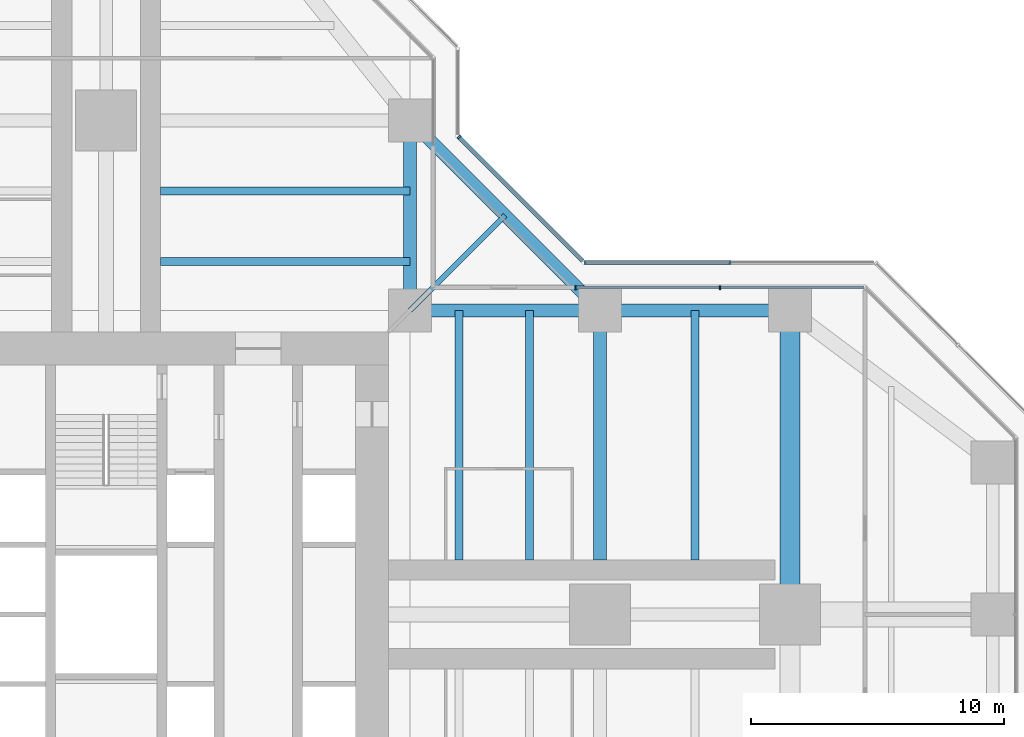
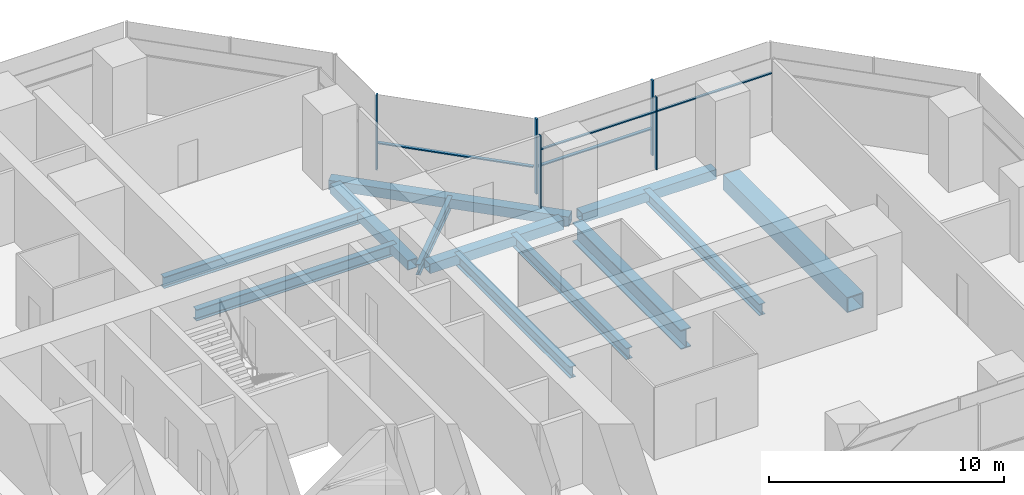
# One storey, part 9 of 19: 12 beams, 9 members, 3 elements without a shape of their own.
"""IFC4 building model written with IfcOpenShell, lengths in metres."""

from ifc_helpers import new_model, si_unit, direction, frame, origin, origin_2d, place, context, subcontext, project, spatial, rectangle, hollow_rectangle, i_section, extrude, material, material_profile, profile_set, type_object, element, aggregate, save


model = new_model("IFC4")

# Units and contexts
model_context = context("Model", 3, precision=1e-05, world=origin(), true_north=direction((0.0, 1.0)))
body_context = subcontext(model_context, "Body", "Model", "MODEL_VIEW")
ifc_project = project(units=[si_unit("LENGTHUNIT", "METRE"), si_unit("AREAUNIT", "SQUARE_METRE"), si_unit("VOLUMEUNIT", "CUBIC_METRE"), si_unit("PLANEANGLEUNIT", "RADIAN"), si_unit("MASSUNIT", "GRAM", prefix="KILO")], contexts=[model_context])

# Site, building, storey
site_placement = place(None, origin())
site = spatial("IfcSite", under=ifc_project, at=site_placement, CompositionType="ELEMENT")
building_placement = place(site_placement, origin())
building = spatial("IfcBuilding", under=site, at=building_placement, Name="Mizan Broadcast Tower", CompositionType="ELEMENT")
storey_placement = place(building_placement, frame((0.0, 0.0, 159.300048828125)))
storey = spatial("IfcBuildingStorey", under=building, at=storey_placement, Name="L36", CompositionType="ELEMENT", Elevation=159.300048828125)

# Beams
ifc_material_1 = material(Name="Steel S355", Category="steel")
ifc_material_profile_1 = material_profile(ifc_material_1, hollow_rectangle(XDim=0.5, YDim=0.5, WallThickness=0.030029296875, at=origin_2d()), Name="BOX 500x500x30")
ifc_profile_set_1 = profile_set([ifc_material_profile_1], Name="Steel S355")
beam_type_1 = type_object("IfcBeamType", Name="EDGE BEAM BOX 500x500x30", PredefinedType="SPANDREL", material=ifc_profile_set_1)
for number, where, z_axis, x_axis, name in (
    (1, (12.449951171875, 12.0, -0.380126953125), (1.0, 0.0, 0.0), (0.0, 1.0, 0.0), "Edge beam BOX 500x500x30 L36 east arm"),
    (2, (19.949951171875, 12.0, -0.380126953125), (1.0, 0.0, 0.0), (0.0, 1.0, 0.0), "Edge beam BOX 500x500x30 L36 east arm"),
    (3, (12.0, 12.449951171875, -0.380126953125), (0.0, 1.0, 0.0), (-1.0, 0.0, 0.0), "Edge beam BOX 500x500x30 L36 north arm"),
):
    element("IfcBeam", number, at=place(storey_placement, frame(where, z_axis=z_axis, x_axis=x_axis)), inside=storey, type_object=beam_type_1, Name=name, PredefinedType="SPANDREL", context=body_context, shape_type="SweptSolid", body=[
        extrude(hollow_rectangle(XDim=0.5, YDim=0.5, WallThickness=0.030029296875, at=origin_2d()), origin(), (0.0, 0.0, 1.0), 6.60009765625),
    ])
beam_1_placement = place(storey_placement, frame((19.5, 12.0, -0.380126953125), z_axis=(-0.707106781187, 0.707106781187, 0.0), x_axis=(-0.707106781187, -0.707106781187, 0.0)))
element("IfcBeam", 4, at=beam_1_placement, inside=storey, type_object=beam_type_1, Name="Winter garden edge beam L36 E", PredefinedType="SPANDREL", context=body_context, shape_type="SweptSolid", body=[
    extrude(hollow_rectangle(XDim=0.5, YDim=0.5, WallThickness=0.030029296875, at=origin_2d()), origin(), (0.0, 0.0, 1.0), 10.606689453125),
])
ifc_material_2 = material(Name="Steel S460", Category="steel")
ifc_material_profile_2 = material_profile(ifc_material_2, hollow_rectangle(XDim=0.800048828125, YDim=0.800048828125, WallThickness=0.050048828125, at=origin_2d()), Name="BOX 800x800x50")
ifc_profile_set_2 = profile_set([ifc_material_profile_2], Name="Steel S460")
beam_type_2 = type_object("IfcBeamType", Name="GIRDER BOX 800x800x50", PredefinedType="BEAM", material=ifc_profile_set_2)
beam_2_placement = place(storey_placement, frame((27.0, 11.280029296875, -0.530029296875), z_axis=(0.0, -1.0, 0.0), x_axis=(1.0, 0.0, 0.0)))
element("IfcBeam", 5, at=beam_2_placement, inside=storey, type_object=beam_type_2, Name="Girder BOX 800x800x50 L36 east arm", PredefinedType="BEAM", context=body_context, shape_type="SweptSolid", body=[
    extrude(hollow_rectangle(XDim=0.800048828125, YDim=0.800048828125, WallThickness=0.050048828125, at=origin_2d()), origin(), (0.0, 0.0, 1.0), 10.56005859375),
])
ifc_material_3 = material(Name="Steel S460", Category="steel")
ifc_material_profile_3 = material_profile(ifc_material_3, i_section(OverallWidth=0.5, OverallDepth=1.0, WebThickness=0.02490234375, FlangeThickness=0.050048828125, at=origin_2d()), Name="WPG 1000x500")
ifc_profile_set_3 = profile_set([ifc_material_profile_3], Name="Steel S460")
beam_type_3 = type_object("IfcBeamType", Name="GIRDER WPG 1000x500", PredefinedType="BEAM", material=ifc_profile_set_3)
beam_3_placement = place(storey_placement, frame((19.5, 11.408935546875, -0.630126953125), z_axis=(0.0, -1.0, 0.0), x_axis=(1.0, 0.0, 0.0)))
element("IfcBeam", 6, at=beam_3_placement, inside=storey, type_object=beam_type_3, Name="Girder WPG 1000x500 L36 east arm", PredefinedType="BEAM", context=body_context, shape_type="SweptSolid", body=[
    extrude(i_section(OverallWidth=0.5, OverallDepth=1.0, WebThickness=0.02490234375, FlangeThickness=0.050048828125, at=origin_2d()), origin(), (0.0, 0.0, 1.0), 9.259033203125),
])

# Curtain wall, members
ifc_material_4 = material(Name="Aluminium framed glazing", Category="aluminium")
curtain_wall_type_1 = type_object("IfcCurtainWallType", Name="INNER SKIN MID ZONE", PredefinedType="USERDEFINED", material=ifc_material_4)
curtain_wall_1_placement = place(storey_placement, origin())
curtain_wall_1 = element("IfcCurtainWall", 7, at=curtain_wall_1_placement, inside=storey, type_object=curtain_wall_type_1, Name="Inner skin mid zone L36 E side", ObjectType="INNER SKIN MID ZONE", PredefinedType="USERDEFINED")
ifc_material_5 = material(Name="Aluminium, pale anodised", Category="aluminium")
ifc_material_profile_4 = material_profile(ifc_material_5, rectangle(XDim=0.159912109375, YDim=0.06005859375, at=origin_2d()), Name="MULLION 160x60")
ifc_profile_set_4 = profile_set([ifc_material_profile_4], Name="Aluminium, pale anodised")
member_type_1 = type_object("IfcMemberType", Name="INNER SKIN MULLION 60x160", PredefinedType="MULLION", material=ifc_profile_set_4)
member_1_placement = place(storey_placement, frame((24.229248046875, 12.89990234375, 0.0), z_axis=(0.0, 0.0, 1.0), x_axis=(0.0, -1.0, 0.0)))
member_1 = element("IfcMember", 8, at=member_1_placement, type_object=member_type_1, Name="Inner skin mid zone L36 E side mullion 2", PredefinedType="MULLION", context=body_context, shape_type="SweptSolid", body=[
    extrude(rectangle(XDim=0.159912109375, YDim=0.06005859375, at=origin_2d()), origin(), (0.0, 0.0, 1.0), 3.77001953125),
])
member_2_placement = place(storey_placement, frame((18.530029296875, 12.89990234375, 0.0), z_axis=(0.0, 0.0, 1.0), x_axis=(0.0, -1.0, 0.0)))
member_2 = element("IfcMember", 9, at=member_2_placement, type_object=member_type_1, Name="Inner skin mid zone L36 E side mullion 3", PredefinedType="MULLION", context=body_context, shape_type="SweptSolid", body=[
    extrude(rectangle(XDim=0.159912109375, YDim=0.06005859375, at=origin_2d()), origin(), (0.0, 0.0, 1.0), 3.77001953125),
])
ifc_material_6 = material(Name="Aluminium, pale anodised", Category="aluminium")
ifc_material_profile_5 = material_profile(ifc_material_6, rectangle(XDim=0.1201171875, YDim=0.06005859375, at=origin_2d()), Name="TRANSOM 120x60")
ifc_profile_set_5 = profile_set([ifc_material_profile_5], Name="Aluminium, pale anodised")
member_type_2 = type_object("IfcMemberType", Name="INNER SKIN TRANSOM 60x120", PredefinedType="USERDEFINED", material=ifc_profile_set_5)
member_3_placement = place(storey_placement, frame((29.898681640625, 12.89990234375, 3.030029296875), z_axis=(-1.0, 0.0, 0.0), x_axis=(0.0, -1.0, 0.0)))
member_3 = element("IfcMember", 10, at=member_3_placement, type_object=member_type_2, Name="Inner skin mid zone L36 E side transom 1.1", ObjectType="TRANSOM", PredefinedType="USERDEFINED", context=body_context, shape_type="SweptSolid", body=[
    extrude(rectangle(XDim=0.1201171875, YDim=0.06005859375, at=origin_2d()), origin(), (0.0, 0.0, 1.0), 5.639404296875),
])
member_4_placement = place(storey_placement, frame((24.19921875, 12.89990234375, 3.030029296875), z_axis=(-1.0, 0.0, 0.0), x_axis=(0.0, -1.0, 0.0)))
member_4 = element("IfcMember", 11, at=member_4_placement, type_object=member_type_2, Name="Inner skin mid zone L36 E side transom 2.1", ObjectType="TRANSOM", PredefinedType="USERDEFINED", context=body_context, shape_type="SweptSolid", body=[
    extrude(rectangle(XDim=0.1201171875, YDim=0.06005859375, at=origin_2d()), origin(), (0.0, 0.0, 1.0), 5.63916015625),
])
aggregate(curtain_wall_1, [member_1, member_2, member_3, member_4])

ifc_material_7 = material(Name="Aluminium framed glazing", Category="aluminium")
curtain_wall_type_2 = type_object("IfcCurtainWallType", Name="OUTER SKIN", PredefinedType="USERDEFINED", material=ifc_material_7)
curtain_wall_2_placement = place(storey_placement, origin())
curtain_wall_2 = element("IfcCurtainWall", 12, at=curtain_wall_2_placement, inside=storey, type_object=curtain_wall_type_2, Name="Outer skin L36 E side", ObjectType="OUTER SKIN", PredefinedType="USERDEFINED")
ifc_material_8 = material(Name="Aluminium, pale anodised", Category="aluminium")
ifc_material_profile_6 = material_profile(ifc_material_8, rectangle(XDim=0.159912109375, YDim=0.080078125, at=origin_2d()), Name="MULLION 160x80")
ifc_profile_set_6 = profile_set([ifc_material_profile_6], Name="Aluminium, pale anodised")
member_type_3 = type_object("IfcMemberType", Name="OUTER SKIN MULLION 80x160", PredefinedType="MULLION", material=ifc_profile_set_6)
member_5_placement = place(storey_placement, frame((24.622802734375, 13.89990234375, 0.0), z_axis=(0.0, 0.0, 1.0), x_axis=(0.0, -1.0, 0.0)))
member_5 = element("IfcMember", 13, at=member_5_placement, type_object=member_type_3, Name="Outer skin L36 E side mullion 2", PredefinedType="MULLION", context=body_context, shape_type="SweptSolid", body=[
    extrude(rectangle(XDim=0.159912109375, YDim=0.080078125, at=origin_2d()), origin(), (0.0, 0.0, 1.0), 3.89990234375),
])
member_6_placement = place(storey_placement, frame((18.912841796875, 13.89990234375, 0.0), z_axis=(0.0, 0.0, 1.0), x_axis=(0.0, -1.0, 0.0)))
member_6 = element("IfcMember", 14, at=member_6_placement, type_object=member_type_3, Name="Outer skin L36 E side mullion 3", PredefinedType="MULLION", context=body_context, shape_type="SweptSolid", body=[
    extrude(rectangle(XDim=0.159912109375, YDim=0.080078125, at=origin_2d()), origin(), (0.0, 0.0, 1.0), 3.89990234375),
])

# Curtain wall, member
curtain_wall_3_placement = place(storey_placement, origin())
curtain_wall_3 = element("IfcCurtainWall", 15, at=curtain_wall_3_placement, inside=storey, type_object=curtain_wall_type_2, Name="Outer skin L36 E chamfer", ObjectType="OUTER SKIN", PredefinedType="USERDEFINED")
member_7_placement = place(storey_placement, frame((13.92822265625, 18.844482421875, 0.0), z_axis=(0.0, 0.0, 1.0), x_axis=(-0.707106781187, -0.707106781187, 0.0)))
member_7 = element("IfcMember", 16, at=member_7_placement, type_object=member_type_3, Name="Outer skin L36 E chamfer mullion 2", PredefinedType="MULLION", context=body_context, shape_type="SweptSolid", body=[
    extrude(rectangle(XDim=0.159912109375, YDim=0.080078125, at=origin_2d()), origin(), (0.0, 0.0, 1.0), 3.89990234375),
])

# Member
ifc_material_9 = material(Name="Aluminium, pale anodised", Category="aluminium")
ifc_material_profile_7 = material_profile(ifc_material_9, rectangle(XDim=0.159912109375, YDim=0.06005859375, at=origin_2d()), Name="TRANSOM 160x60")
ifc_profile_set_7 = profile_set([ifc_material_profile_7], Name="Aluminium, pale anodised")
member_type_4 = type_object("IfcMemberType", Name="OUTER SKIN TRANSOM 60x160", PredefinedType="USERDEFINED", material=ifc_profile_set_7)
member_8_placement = place(storey_placement, frame((24.582763671875, 13.89990234375, 1.39990234375), z_axis=(-1.0, 0.0, 0.0), x_axis=(0.0, -1.0, 0.0)))
member_8 = element("IfcMember", 17, at=member_8_placement, type_object=member_type_4, Name="Outer skin L36 E side transom 2.1", ObjectType="TRANSOM", PredefinedType="USERDEFINED", context=body_context, shape_type="SweptSolid", body=[
    extrude(rectangle(XDim=0.159912109375, YDim=0.06005859375, at=origin_2d()), origin(), (0.0, 0.0, 1.0), 5.6298828125),
])

aggregate(curtain_wall_2, [member_5, member_6, member_8])

member_9_placement = place(storey_placement, frame((18.816162109375, 13.95654296875, 1.39990234375), z_axis=(-0.707106781187, 0.707106781187, 0.0), x_axis=(-0.707106781187, -0.707106781187, 0.0)))
member_9 = element("IfcMember", 18, at=member_9_placement, type_object=member_type_4, Name="Outer skin L36 E chamfer transom 1.1", ObjectType="TRANSOM", PredefinedType="USERDEFINED", context=body_context, shape_type="SweptSolid", body=[
    extrude(rectangle(XDim=0.159912109375, YDim=0.06005859375, at=origin_2d()), origin(), (0.0, 0.0, 1.0), 6.87255859375),
])

aggregate(curtain_wall_3, [member_7, member_9])

# Beams
ifc_material_10 = material(Name="Steel S355", Category="steel")
ifc_material_profile_8 = material_profile(ifc_material_10, i_section(OverallWidth=0.300048828125, OverallDepth=0.590087890625, WebThickness=0.012939453125, FlangeThickness=0.02490234375, FilletRadius=0.027099609375, at=origin_2d()), Name="HEA 600")
ifc_profile_set_8 = profile_set([ifc_material_profile_8], Name="Steel S355")
beam_type_4 = type_object("IfcBeamType", Name="SECONDARY BEAM HEA 600", PredefinedType="JOIST", material=ifc_profile_set_8)
for number, where, z_axis, x_axis, name in (
    (19, (13.933349609375, 12.0, -0.425048828125), (0.0, -1.0, 0.0), (1.0, 0.0, 0.0), "Secondary beam HEA 600 L36 east arm"),
    (20, (16.716552734375, 12.0, -0.425048828125), (0.0, -1.0, 0.0), (1.0, 0.0, 0.0), "Secondary beam HEA 600 L36 east arm"),
    (21, (23.25, 12.0, -0.425048828125), (0.0, -1.0, 0.0), (1.0, 0.0, 0.0), "Secondary beam HEA 600 L36 east arm"),
    (22, (12.0, 13.933349609375, -0.425048828125), (-1.0, 0.0, 0.0), (0.0, -1.0, 0.0), "Secondary beam HEA 600 L36 north arm"),
    (23, (12.0, 16.716552734375, -0.425048828125), (-1.0, 0.0, 0.0), (0.0, -1.0, 0.0), "Secondary beam HEA 600 L36 north arm"),
):
    element("IfcBeam", number, at=place(storey_placement, frame(where, z_axis=z_axis, x_axis=x_axis)), inside=storey, type_object=beam_type_4, Name=name, PredefinedType="JOIST", context=body_context, shape_type="SweptSolid", body=[
        extrude(i_section(OverallWidth=0.300048828125, OverallDepth=0.590087890625, WebThickness=0.012939453125, FlangeThickness=0.02490234375, FilletRadius=0.027099609375, at=origin_2d()), origin(), (0.0, 0.0, 1.0), 9.85009765625),
    ])
ifc_material_11 = material(Name="Steel S355", Category="steel")
ifc_material_profile_9 = material_profile(ifc_material_11, i_section(OverallWidth=0.2099609375, OverallDepth=0.550048828125, WebThickness=0.010986328125, FlangeThickness=0.01708984375, FilletRadius=0.02392578125, at=origin_2d()), Name="IPE 550")
ifc_profile_set_9 = profile_set([ifc_material_profile_9], Name="Steel S355")
beam_type_5 = type_object("IfcBeamType", Name="SECONDARY BEAM IPE 550", PredefinedType="JOIST", material=ifc_profile_set_9)
beam_4_placement = place(storey_placement, frame((12.0, 12.0, -0.405029296875), z_axis=(0.707106781187, 0.707106781187, 0.0), x_axis=(-0.707106781187, 0.707106781187, 0.0)))
element("IfcBeam", 24, at=beam_4_placement, inside=storey, type_object=beam_type_5, Name="Winter garden beam L36 E", PredefinedType="JOIST", context=body_context, shape_type="SweptSolid", body=[
    extrude(i_section(OverallWidth=0.2099609375, OverallDepth=0.550048828125, WebThickness=0.010986328125, FlangeThickness=0.01708984375, FilletRadius=0.02392578125, at=origin_2d()), origin(), (0.0, 0.0, 1.0), 5.30322265625),
])

save(model, "model.ifc")
